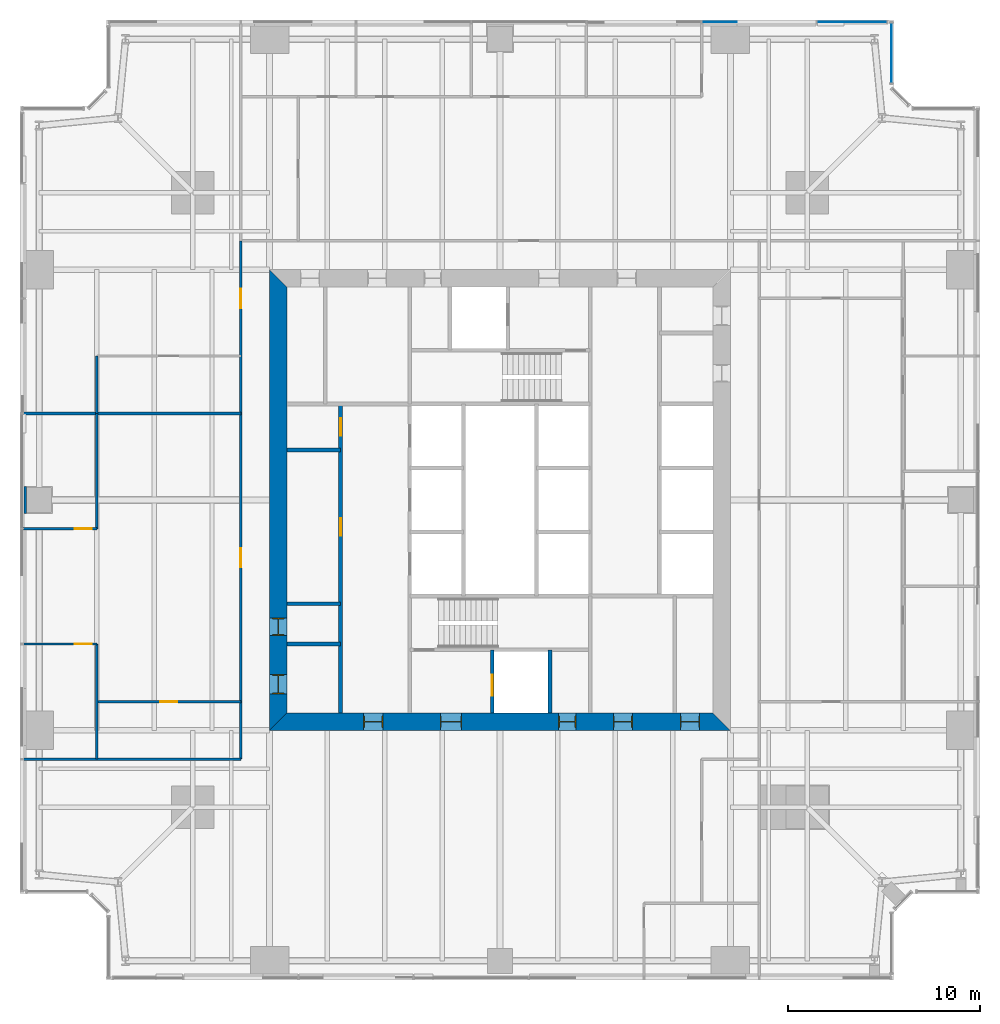
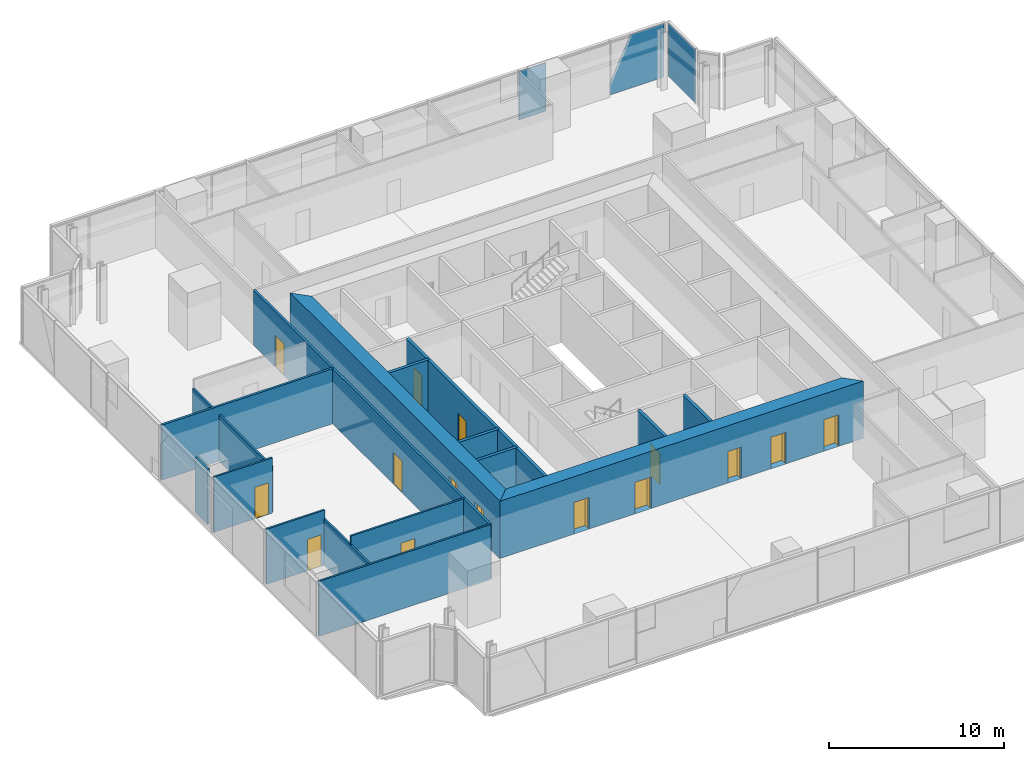
# One storey, part 9 of 14: 18 walls, 15 doors, 3 plates, 15 openings, 2 elements without a shape of their own.
"""IFC4 building model written with IfcOpenShell, lengths in metres."""

import ifcopenshell
import ifcopenshell.guid

model = None  # the IFC model being written
_history = None  # IfcOwnerHistory: only IFC2X3 demands one
_inside = {}  # id of a spatial element -> (the spatial element, [elements in it])
_under = {}  # id of a project, library or spatial element -> (it, [spatial elements below it])
_declared = {}  # id of a project -> (the project, [libraries it declares])
_typed = {}  # id of a type object -> (the type object, [elements of that type])
_made_of = {}  # id of a material, layer set ... -> (it, [elements and type objects made of it])


def new_model(schema):
    """Start an empty IFC model of exactly this schema.

    Asked for "IFC4X3", IfcOpenShell would pick the latest addendum, in which some entities
    have other attributes; the version numbers below select the first issue.
    IFC2X3 requires an IfcOwnerHistory on every rooted entity: one is made here for all.
    """
    global model, _history
    if schema == "IFC4X3":
        model = ifcopenshell.file(schema_version=(4, 3, 0, 0))
    else:
        model = ifcopenshell.file(schema=schema)
    _inside.clear()
    _under.clear()
    _declared.clear()
    _typed.clear()
    _made_of.clear()
    _history = None
    if model.schema == "IFC2X3":
        org = make("IfcOrganization", Name="unknown")
        user = make(
            "IfcPersonAndOrganization",
            ThePerson=make("IfcPerson", FamilyName="unknown"),
            TheOrganization=org,
        )
        app = make(
            "IfcApplication",
            ApplicationDeveloper=org,
            Version="unknown",
            ApplicationFullName="unknown",
            ApplicationIdentifier="unknown",
        )
        _history = make(
            "IfcOwnerHistory",
            OwningUser=user,
            OwningApplication=app,
            ChangeAction="ADDED",
            CreationDate=0,
        )
    return model


def make(cls, **values):
    """One entity of the class cls with the attributes given. An attribute that is None is left unset."""
    return model.create_entity(
        cls, **{name: value for name, value in values.items() if value is not None}
    )


def rooted(cls, **values):
    """An entity with a GlobalId (a new one), such as an element, a storey or a relation."""
    return make(cls, GlobalId=ifcopenshell.guid.new(), OwnerHistory=_history, **values)


def si_unit(unit_type, name, prefix=None):
    """IfcSIUnit, for example si_unit("LENGTHUNIT", "METRE", prefix="MILLI")."""
    return make("IfcSIUnit", UnitType=unit_type, Prefix=prefix, Name=name)


def assignment(units):
    """IfcUnitAssignment: the units of a project."""
    return None if units is None else make("IfcUnitAssignment", Units=units)


def point(xyz):
    """IfcCartesianPoint."""
    return None if xyz is None else make("IfcCartesianPoint", Coordinates=xyz)


def direction(xyz):
    """IfcDirection."""
    return None if xyz is None else make("IfcDirection", DirectionRatios=xyz)


def frame(location, z_axis=None, x_axis=None):
    """IfcAxis2Placement3D, a coordinate frame: its origin and axes. An axis left out is left unset."""
    return make(
        "IfcAxis2Placement3D",
        Location=point(location),
        Axis=direction(z_axis),
        RefDirection=direction(x_axis),
    )


def frame_2d(location, x_axis=None):
    """IfcAxis2Placement2D, a coordinate frame in the plane: its origin and x axis."""
    return make(
        "IfcAxis2Placement2D", Location=point(location), RefDirection=direction(x_axis)
    )


def origin():
    """The frame at (0, 0, 0) with its axes left unset."""
    return frame((0.0, 0.0, 0.0))


def origin_2d():
    """The frame at (0, 0) in the plane with its x axis left unset."""
    return frame_2d((0.0, 0.0))


def place(relative_to, where):
    """IfcLocalPlacement: puts the frame where relative to a parent placement (None: the world)."""
    return make(
        "IfcLocalPlacement", PlacementRelTo=relative_to, RelativePlacement=where
    )


def context(
    kind, dimensions, precision=None, world=None, true_north=None, identifier=None
):
    """IfcGeometricRepresentationContext, for example the 3D "Model" context."""
    return make(
        "IfcGeometricRepresentationContext",
        ContextIdentifier=identifier,
        ContextType=kind,
        CoordinateSpaceDimension=dimensions,
        Precision=precision,
        WorldCoordinateSystem=world,
        TrueNorth=true_north,
    )


def subcontext(parent, identifier, kind, view, scale=None):
    """IfcGeometricRepresentationSubContext, for example "Body" below "Model"."""
    return make(
        "IfcGeometricRepresentationSubContext",
        ContextIdentifier=identifier,
        ContextType=kind,
        ParentContext=parent,
        TargetScale=scale,
        TargetView=view,
    )


def project(units=None, contexts=None):
    """IfcProject with its units and contexts."""
    return rooted(
        "IfcProject",
        Name="project",
        RepresentationContexts=contexts,
        UnitsInContext=assignment(units),
    )


def spatial(cls, under=None, at=None, **own):
    """A site, building, storey or space (cls), placed at a placement, below another one or the project."""
    s = rooted(cls, ObjectPlacement=at, **own)
    if under is not None:
        _under.setdefault(under.id(), (under, []))[1].append(s)
    return s


def polyline(points):
    """IfcPolyline through the points."""
    return make("IfcPolyline", Points=[point(p) for p in points])


def profile(cls, at=None, kind="AREA", **sizes):
    """A parametric profile (cls). Its sizes go by their IFC names, for example OverallWidth=200.0."""
    return make(cls, ProfileType=kind, Position=at, **sizes)


def rectangle(**sizes):
    """IfcRectangleProfileDef."""
    return profile("IfcRectangleProfileDef", **sizes)


def outline(outer, holes=None, kind="AREA"):
    """IfcArbitraryClosedProfileDef: a profile drawn as a closed curve; with holes, ...WithVoids."""
    if holes is None:
        return make("IfcArbitraryClosedProfileDef", ProfileType=kind, OuterCurve=outer)
    return make(
        "IfcArbitraryProfileDefWithVoids",
        ProfileType=kind,
        OuterCurve=outer,
        InnerCurves=holes,
    )


def extrude(swept, where, along, depth):
    """IfcExtrudedAreaSolid: the profile swept, set in the frame where, extruded along a direction by depth."""
    return make(
        "IfcExtrudedAreaSolid",
        SweptArea=swept,
        Position=where,
        ExtrudedDirection=direction(along),
        Depth=depth,
    )


def shape(context_of_items, identifier, shape_type, items):
    """IfcShapeRepresentation: the items that make up one representation, for example the "Body"."""
    return make(
        "IfcShapeRepresentation",
        ContextOfItems=context_of_items,
        RepresentationIdentifier=identifier,
        RepresentationType=shape_type,
        Items=items,
    )


def material(Name=None, Category=None):
    """IfcMaterial."""
    return make("IfcMaterial", Name=Name, Category=Category)


def layer(
    of_material, thickness, ventilated=None, Name=None, Category=None, Priority=None
):
    """IfcMaterialLayer: one layer of a wall or slab, of a material (None: an air gap)."""
    return make(
        "IfcMaterialLayer",
        Material=of_material,
        LayerThickness=thickness,
        IsVentilated=ventilated,
        Name=Name,
        Category=Category,
        Priority=Priority,
    )


def layer_set(layers, Name=None):
    """IfcMaterialLayerSet."""
    return make("IfcMaterialLayerSet", MaterialLayers=layers, LayerSetName=Name)


def made_of(thing, what):
    """Note that an element or type object is made of a material, layer set ...; save() writes the relation."""
    if what is not None:
        _made_of.setdefault(what.id(), (what, []))[1].append(thing)
    return thing


def type_object(cls, material=None, **own):
    """A type object (cls), such as IfcWallType, which elements share."""
    return made_of(rooted(cls, **own), material)


def element(
    cls,
    number,
    at=None,
    inside=None,
    cuts=None,
    type_object=None,
    material=None,
    context=None,
    identifier="Body",
    shape_type=None,
    held_by="IfcProductDefinitionShape",
    body=None,
    shapes=None,
    **own,
):
    """One element of the class cls, such as IfcWall. Its Tag is "e" and its number.

    at: its placement. inside: the storey or other place that contains it. cuts: it is an
    opening in that element (IfcRelVoidsElement). A single representation is given by context,
    identifier, shape_type and body (its items); several are given by shapes. held_by: the class
    of the entity that holds the representations. save() writes the other relations.
    """
    e = rooted(cls, Tag="e%d" % number, ObjectPlacement=at, **own)
    if body is not None:
        shapes = [shape(context, identifier, shape_type, body)]
    if shapes is not None:
        e.Representation = make(held_by, Representations=shapes)
    if inside is not None:
        _inside.setdefault(inside.id(), (inside, []))[1].append(e)
    if cuts is not None:
        rooted(
            "IfcRelVoidsElement", RelatingBuildingElement=cuts, RelatedOpeningElement=e
        )
    if type_object is not None:
        _typed.setdefault(type_object.id(), (type_object, []))[1].append(e)
    return made_of(e, material)


def fill(opening, filler):
    """IfcRelFillsElement: the door or window that sits in an opening."""
    return rooted(
        "IfcRelFillsElement",
        RelatingOpeningElement=opening,
        RelatedBuildingElement=filler,
    )


def aggregate(whole, parts):
    """IfcRelAggregates: a whole, such as a stair, and the parts it consists of."""
    return rooted("IfcRelAggregates", RelatingObject=whole, RelatedObjects=parts)


def save(model, path):
    """Write the relations noted so far, then the file.

    IfcRelAggregates (storeys below a building ...), IfcRelContainedInSpatialStructure (elements
    in a storey), IfcRelDefinesByType, IfcRelAssociatesMaterial and IfcRelDeclares: one each for
    every whole, place, type object, material and project.
    """
    for whole, parts in _under.values():
        aggregate(whole, parts)
    for where, things in _inside.values():
        rooted(
            "IfcRelContainedInSpatialStructure",
            RelatedElements=things,
            RelatingStructure=where,
        )
    for kind, things in _typed.values():
        rooted("IfcRelDefinesByType", RelatedObjects=things, RelatingType=kind)
    for what, things in _made_of.values():
        rooted("IfcRelAssociatesMaterial", RelatedObjects=things, RelatingMaterial=what)
    for by, libraries in _declared.values():
        rooted("IfcRelDeclares", RelatingContext=by, RelatedDefinitions=libraries)
    model.write(path)


model = new_model("IFC4")

# Units and contexts
model_context = context("Model", 3, precision=1e-05, world=origin(), true_north=direction((0.0, 1.0)))
body_context = subcontext(model_context, "Body", "Model", "MODEL_VIEW")
ifc_project = project(units=[si_unit("LENGTHUNIT", "METRE"), si_unit("AREAUNIT", "SQUARE_METRE"), si_unit("VOLUMEUNIT", "CUBIC_METRE"), si_unit("PLANEANGLEUNIT", "RADIAN"), si_unit("MASSUNIT", "GRAM", prefix="KILO")], contexts=[model_context])

# Site, building, storey
site_placement = place(None, origin())
site = spatial("IfcSite", under=ifc_project, at=site_placement, CompositionType="ELEMENT")
building_placement = place(site_placement, origin())
building = spatial("IfcBuilding", under=site, at=building_placement, Name="Fenwick Lantern Interchange", CompositionType="ELEMENT")
storey_placement = place(building_placement, frame((0.0, 0.0, 134.39990234375)))
storey = spatial("IfcBuildingStorey", under=building, at=storey_placement, Name="L31", CompositionType="ELEMENT", Elevation=134.39990234375)

# Curtain wall, plate
ifc_material_1 = material(Name="Aluminium curtain wall frame", Category="aluminium")
curtain_wall_type = type_object("IfcCurtainWallType", Name="OFFICE CURTAIN WALL", PredefinedType="USERDEFINED", material=ifc_material_1)
curtain_wall_1_placement = place(storey_placement, origin())
curtain_wall_1 = element("IfcCurtainWall", 1, at=curtain_wall_1_placement, inside=storey, type_object=curtain_wall_type, Name="Office curtain wall 08", ObjectType="OFFICE CURTAIN WALL", PredefinedType="USERDEFINED")
ifc_material_2 = material(Name="Vision glass, clear low-iron double glazed", Category="glass")
ifc_layer_1 = layer(ifc_material_2, 0.031982421875)
ifc_layer_set_1 = layer_set([ifc_layer_1], Name="OFFICE CURTAIN WALL PANEL 32")
plate_type = type_object("IfcPlateType", Name="OFFICE CURTAIN WALL PANEL 32", PredefinedType="CURTAIN_PANEL", material=ifc_layer_set_1)
plate_1_placement = place(storey_placement, frame((45.39990234375, 48.279296875, 0.0), z_axis=(0.0, 0.0, 1.0), x_axis=(0.0, 1.0, 0.0)))
plate_1 = element("IfcPlate", 2, at=plate_1_placement, type_object=plate_type, Name="L31/CW/08/P00", PredefinedType="CURTAIN_PANEL", context=body_context, shape_type="SweptSolid", body=[
    extrude(rectangle(XDim=3.111328125, YDim=0.031982421875, at=origin_2d()), origin(), (0.0, 0.0, 1.0), 3.75),
])
aggregate(curtain_wall_1, [plate_1])

# Curtain wall, plates
curtain_wall_2_placement = place(storey_placement, origin())
curtain_wall_2 = element("IfcCurtainWall", 3, at=curtain_wall_2_placement, inside=storey, type_object=curtain_wall_type, Name="Office curtain wall 09", ObjectType="OFFICE CURTAIN WALL", PredefinedType="USERDEFINED")
plate_2_placement = place(storey_placement, frame((45.39990234375, 49.89990234375, 0.0), z_axis=(0.0, 0.0, 1.0), x_axis=(-1.0, 0.0, 0.0)))
plate_2 = element("IfcPlate", 4, at=plate_2_placement, type_object=plate_type, Name="L31/CW/09/P00a", PredefinedType="CURTAIN_PANEL", context=body_context, shape_type="SweptSolid", body=[
    extrude(outline(polyline([(0.264892578125, 0.0), (3.867431640625, 0.0), (3.867431640625, 0.822509765625), (2.4951171875, 3.75), (0.264892578125, 3.75), (0.264892578125, 0.0)])), frame((0.0, 0.01611328125, 0.0), z_axis=(0.0, -1.0, 0.0), x_axis=(1.0, 0.0, 0.0)), (0.0, 0.0, 1.0), 0.031982421875),
])
plate_3_placement = place(storey_placement, frame((45.39990234375, 49.89990234375, 0.358154296875), z_axis=(0.0, 0.0, 1.0), x_axis=(-1.0, 0.0, 0.0)))
plate_3 = element("IfcPlate", 5, at=plate_3_placement, type_object=plate_type, Name="L31/CW/09/P01a", PredefinedType="CURTAIN_PANEL", context=body_context, shape_type="SweptSolid", body=[
    extrude(outline(polyline([(8.06103515625, 0.0), (9.867431640625, 0.0), (9.867431640625, 3.391845703125), (8.06103515625, 3.391845703125), (8.06103515625, 0.0)])), frame((0.0, 0.01611328125, 0.0), z_axis=(0.0, -1.0, 0.0), x_axis=(1.0, 0.0, 0.0)), (0.0, 0.0, 1.0), 0.031982421875),
])
aggregate(curtain_wall_2, [plate_2, plate_3])

# Wall
ifc_material_3 = material(Name="Fire-rated gypsum board encasement on steel studs, 2 hour", Category="steel")
ifc_layer_2 = layer(ifc_material_3, 1.39990234375)
ifc_layer_set_2 = layer_set([ifc_layer_2], Name="COLUMN PIER 1400")
wall_type_1 = type_object("IfcWallType", Name="COLUMN PIER 1400", PredefinedType="PARTITIONING", material=ifc_layer_set_2)
wall_1_placement = place(storey_placement, frame((0.199951171875, 25.0, 0.0), z_axis=(0.0, 0.0, 1.0), x_axis=(1.0, 0.0, 0.0)))
element("IfcWall", 6, at=wall_1_placement, inside=storey, type_object=wall_type_1, Name="L31/W/PIER/CW3", PredefinedType="PARTITIONING", context=body_context, shape_type="SweptSolid", body=[
    extrude(rectangle(XDim=0.150146484375, YDim=1.39990234375, at=frame_2d((0.0751953125, 0.0))), origin(), (0.0, 0.0, 1.0), 3.85009765625),
])

# Wall, openings, doors
ifc_material_4 = material(Name="Concrete masonry ASTM C90 Grade N", Category="masonry")
ifc_layer_3 = layer(ifc_material_4, 0.199951171875)
ifc_layer_set_3 = layer_set([ifc_layer_3], Name="Concrete masonry ASTM C90 Grade N")
wall_type_2 = type_object("IfcWallType", Name="CORE PARTITION 200", PredefinedType="PARTITIONING", material=ifc_layer_set_3)
wall_2_placement = place(storey_placement, frame((16.699951171875, 13.89990234375, 0.0), z_axis=(0.0, 0.0, 1.0), x_axis=(0.0, 1.0, 0.0)))
wall_2 = element("IfcWall", 7, at=wall_2_placement, inside=storey, type_object=wall_type_2, Name="L31/W/CORES/a", PredefinedType="PARTITIONING", context=body_context, shape_type="SweptSolid", body=[
    extrude(rectangle(XDim=16.10009765625, YDim=0.199951171875, at=frame_2d((8.050048828125, 0.0))), origin(), (0.0, 0.0, 1.0), 3.800048828125),
])
opening_1_placement = place(wall_2_placement, frame((9.25, 0.0, 0.0)))
opening_1 = element("IfcOpeningElement", 8, at=opening_1_placement, cuts=wall_2, Name="Opening L31-D009", PredefinedType="OPENING", context=body_context, shape_type="SweptSolid", body=[
    extrude(rectangle(XDim=0.89990234375, YDim=2.199951171875, at=frame_2d((0.449951171875, 1.10009765625))), frame((0.0, 0.10986328125, 0.0), z_axis=(0.0, -1.0, 0.0), x_axis=(1.0, 0.0, 0.0)), (0.0, 0.0, 1.0), 0.219970703125),
])
opening_2_placement = place(wall_2_placement, frame((14.449951171875, 0.0, 0.0)))
opening_2 = element("IfcOpeningElement", 9, at=opening_2_placement, cuts=wall_2, Name="Opening L31-D010", PredefinedType="OPENING", context=body_context, shape_type="SweptSolid", body=[
    extrude(rectangle(XDim=0.89990234375, YDim=2.199951171875, at=frame_2d((0.449951171875, 1.10009765625))), frame((0.0, 0.10986328125, 0.0), z_axis=(0.0, -1.0, 0.0), x_axis=(1.0, 0.0, 0.0)), (0.0, 0.0, 1.0), 0.219970703125),
])
ifc_material_5 = material(Name="Steel door and frame", Category="steel")
door_type_1 = type_object("IfcDoorType", Name="SERVICE DOOR 900 X 2200", OperationType="SINGLE_SWING_LEFT", PredefinedType="DOOR", material=ifc_material_5)
door_1_placement = place(opening_1_placement, origin())
door_1 = element("IfcDoor", 10, at=door_1_placement, inside=storey, type_object=door_type_1, Name="Service door", OperationType="SINGLE_SWING_LEFT", OverallHeight=2.199951171875, OverallWidth=0.89990234375, PredefinedType="DOOR", context=body_context, shape_type="SweptSolid", body=[
    extrude(rectangle(XDim=0.89990234375, YDim=2.199951171875, at=frame_2d((0.449951171875, 1.10009765625))), frame((0.0, 0.02490234375, 0.0), z_axis=(0.0, -1.0, 0.0), x_axis=(1.0, 0.0, 0.0)), (0.0, 0.0, 1.0), 0.050048828125),
])
fill(opening_1, door_1)
door_2_placement = place(opening_2_placement, origin())
door_2 = element("IfcDoor", 11, at=door_2_placement, inside=storey, type_object=door_type_1, Name="Service door", OperationType="SINGLE_SWING_LEFT", OverallHeight=2.199951171875, OverallWidth=0.89990234375, PredefinedType="DOOR", context=body_context, shape_type="SweptSolid", body=[
    extrude(rectangle(XDim=0.89990234375, YDim=2.199951171875, at=frame_2d((0.449951171875, 1.10009765625))), frame((0.0, 0.02490234375, 0.0), z_axis=(0.0, -1.0, 0.0), x_axis=(1.0, 0.0, 0.0)), (0.0, 0.0, 1.0), 0.050048828125),
])
fill(opening_2, door_2)

# Wall, opening, door
wall_3_placement = place(storey_placement, frame((24.60009765625, 13.89990234375, 0.0), z_axis=(0.0, 0.0, 1.0), x_axis=(0.0, 1.0, 0.0)))
wall_3 = element("IfcWall", 12, at=wall_3_placement, inside=storey, type_object=wall_type_2, Name="L31/W/CORES/h1", PredefinedType="PARTITIONING", context=body_context, shape_type="SweptSolid", body=[
    extrude(rectangle(XDim=3.300048828125, YDim=0.199951171875, at=frame_2d((1.64990234375, 0.0))), origin(), (0.0, 0.0, 1.0), 3.800048828125),
])
opening_3_placement = place(wall_3_placement, frame((0.89990234375, 0.0, 0.0)))
opening_3 = element("IfcOpeningElement", 13, at=opening_3_placement, cuts=wall_3, Name="Opening LD-FL1", PredefinedType="OPENING", context=body_context, shape_type="SweptSolid", body=[
    extrude(rectangle(XDim=1.10009765625, YDim=2.199951171875, at=frame_2d((0.550048828125, 1.10009765625))), frame((0.0, 0.10986328125, 0.0), z_axis=(0.0, -1.0, 0.0), x_axis=(1.0, 0.0, 0.0)), (0.0, 0.0, 1.0), 0.219970703125),
])
door_type_2 = type_object("IfcDoorType", Name="LIFT LANDING DOOR 1100 X 2200", OperationType="DOUBLE_DOOR_SLIDING", PredefinedType="DOOR", material=ifc_material_5)
door_3_placement = place(opening_3_placement, origin())
door_3 = element("IfcDoor", 14, at=door_3_placement, inside=storey, type_object=door_type_2, Name="Lift landing door FL1", OperationType="DOUBLE_DOOR_SLIDING", OverallHeight=2.199951171875, OverallWidth=1.10009765625, PredefinedType="DOOR", context=body_context, shape_type="SweptSolid", body=[
    extrude(rectangle(XDim=1.10009765625, YDim=2.199951171875, at=frame_2d((0.550048828125, 1.10009765625))), frame((0.0, 0.02490234375, 0.0), z_axis=(0.0, -1.0, 0.0), x_axis=(1.0, 0.0, 0.0)), (0.0, 0.0, 1.0), 0.050048828125),
])
fill(opening_3, door_3)

# Walls
wall_4_placement = place(storey_placement, frame((27.60009765625, 13.89990234375, 0.0), z_axis=(0.0, 0.0, 1.0), x_axis=(0.0, 1.0, 0.0)))
element("IfcWall", 15, at=wall_4_placement, inside=storey, type_object=wall_type_2, Name="L31/W/CORES/h2", PredefinedType="PARTITIONING", context=body_context, shape_type="SweptSolid", body=[
    extrude(rectangle(XDim=3.300048828125, YDim=0.199951171875, at=frame_2d((1.64990234375, 0.0))), origin(), (0.0, 0.0, 1.0), 3.800048828125),
])
for number, where, z_axis, x_axis, name in (
    (16, (13.89990234375, 17.5, 0.0), (0.0, 0.0, 1.0), (1.0, 0.0, 0.0), "L31/W/CORES/p1"),
    (17, (13.89990234375, 19.60009765625, 0.0), (0.0, 0.0, 1.0), (1.0, 0.0, 0.0), "L31/W/CORES/p2"),
    (18, (13.89990234375, 27.60009765625, 0.0), (0.0, 0.0, 1.0), (1.0, 0.0, 0.0), "L31/W/CORES/p3"),
):
    element("IfcWall", number, at=place(storey_placement, frame(where, z_axis=z_axis, x_axis=x_axis)), inside=storey, type_object=wall_type_2, Name=name, PredefinedType="PARTITIONING", context=body_context, shape_type="SweptSolid", body=[
        extrude(rectangle(XDim=2.800048828125, YDim=0.199951171875, at=frame_2d((1.39990234375, 0.0))), origin(), (0.0, 0.0, 1.0), 3.800048828125),
    ])

# Wall, openings, doors
ifc_material_6 = material(Name="Concrete f'c 70 MPa", Category="concrete")
ifc_layer_4 = layer(ifc_material_6, 0.89990234375)
ifc_layer_set_4 = layer_set([ifc_layer_4], Name="CORE WALL 900")
wall_type_3 = type_object("IfcWallType", Name="CORE WALL 900", PredefinedType="SHEAR", material=ifc_layer_set_4)
wall_5_placement = place(storey_placement, frame((13.0, 13.449951171875, 0.0), z_axis=(0.0, 0.0, 1.0), x_axis=(1.0, 0.0, 0.0)))
wall_5 = element("IfcWall", 19, at=wall_5_placement, inside=storey, type_object=wall_type_3, Name="L31/CORE/S", PredefinedType="SHEAR", context=body_context, shape_type="SweptSolid", body=[
    extrude(outline(polyline([(0.0, -0.449951171875), (24.0, -0.449951171875), (23.10009765625, 0.449951171875), (0.89990234375, 0.449951171875), (0.0, -0.449951171875)])), origin(), (0.0, 0.0, 1.0), 4.0),
])
opening_4_placement = place(wall_5_placement, frame((4.89990234375, 0.0, 0.0)))
opening_4 = element("IfcOpeningElement", 20, at=opening_4_placement, cuts=wall_5, Name="Opening L31-D001", PredefinedType="OPENING", context=body_context, shape_type="SweptSolid", body=[
    extrude(rectangle(XDim=1.0, YDim=2.199951171875, at=frame_2d((0.5, 1.10009765625))), frame((0.0, 0.4599609375, 0.0), z_axis=(0.0, -1.0, 0.0), x_axis=(1.0, 0.0, 0.0)), (0.0, 0.0, 1.0), 0.919921875),
])
opening_5_placement = place(wall_5_placement, frame((8.89990234375, 0.0, 0.0)))
opening_5 = element("IfcOpeningElement", 21, at=opening_5_placement, cuts=wall_5, Name="Opening L31-D002", PredefinedType="OPENING", context=body_context, shape_type="SweptSolid", body=[
    extrude(rectangle(XDim=1.10009765625, YDim=2.199951171875, at=frame_2d((0.550048828125, 1.10009765625))), frame((0.0, 0.4599609375, 0.0), z_axis=(0.0, -1.0, 0.0), x_axis=(1.0, 0.0, 0.0)), (0.0, 0.0, 1.0), 0.919921875),
])
opening_6_placement = place(wall_5_placement, frame((15.050048828125, 0.0, 0.0)))
opening_6 = element("IfcOpeningElement", 22, at=opening_6_placement, cuts=wall_5, Name="Opening L31-D004", PredefinedType="OPENING", context=body_context, shape_type="SweptSolid", body=[
    extrude(rectangle(XDim=0.89990234375, YDim=2.199951171875, at=frame_2d((0.449951171875, 1.10009765625))), frame((0.0, 0.4599609375, 0.0), z_axis=(0.0, -1.0, 0.0), x_axis=(1.0, 0.0, 0.0)), (0.0, 0.0, 1.0), 0.919921875),
])
opening_7_placement = place(wall_5_placement, frame((17.89990234375, 0.0, 0.0)))
opening_7 = element("IfcOpeningElement", 23, at=opening_7_placement, cuts=wall_5, Name="Opening L31-D005", PredefinedType="OPENING", context=body_context, shape_type="SweptSolid", body=[
    extrude(rectangle(XDim=1.0, YDim=2.199951171875, at=frame_2d((0.5, 1.10009765625))), frame((0.0, 0.4599609375, 0.0), z_axis=(0.0, -1.0, 0.0), x_axis=(1.0, 0.0, 0.0)), (0.0, 0.0, 1.0), 0.919921875),
])
opening_8_placement = place(wall_5_placement, frame((21.39990234375, 0.0, 0.0)))
opening_8 = element("IfcOpeningElement", 24, at=opening_8_placement, cuts=wall_5, Name="Opening L31-D006", PredefinedType="OPENING", context=body_context, shape_type="SweptSolid", body=[
    extrude(rectangle(XDim=1.0, YDim=2.199951171875, at=frame_2d((0.5, 1.10009765625))), frame((0.0, 0.4599609375, 0.0), z_axis=(0.0, -1.0, 0.0), x_axis=(1.0, 0.0, 0.0)), (0.0, 0.0, 1.0), 0.919921875),
])
door_type_3 = type_object("IfcDoorType", Name="CORE LOBBY DOOR 1000 X 2200", OperationType="SINGLE_SWING_LEFT", PredefinedType="DOOR", material=ifc_material_5)
door_4_placement = place(opening_4_placement, origin())
door_4 = element("IfcDoor", 25, at=door_4_placement, inside=storey, type_object=door_type_3, Name="Core lobby door", OperationType="SINGLE_SWING_LEFT", OverallHeight=2.199951171875, OverallWidth=1.0, PredefinedType="DOOR", context=body_context, shape_type="SweptSolid", body=[
    extrude(rectangle(XDim=1.0, YDim=2.199951171875, at=frame_2d((0.5, 1.10009765625))), frame((0.0, 0.02490234375, 0.0), z_axis=(0.0, -1.0, 0.0), x_axis=(1.0, 0.0, 0.0)), (0.0, 0.0, 1.0), 0.050048828125),
    extrude(outline(polyline([(0.0, 0.0), (0.0400390625, 0.0), (0.0400390625, 2.159912109375), (0.9599609375, 2.159912109375), (0.9599609375, 0.0), (1.0, 0.0), (1.0, 2.199951171875), (0.0, 2.199951171875), (0.0, 0.0)])), frame((0.0, 0.300048828125, 0.0), z_axis=(0.0, -1.0, 0.0), x_axis=(1.0, 0.0, 0.0)), (0.0, 0.0, 1.0), 0.60009765625),
])
fill(opening_4, door_4)
door_type_4 = type_object("IfcDoorType", Name="FIRE LOBBY DOOR 1100 X 2200", OperationType="SINGLE_SWING_LEFT", PredefinedType="DOOR", material=ifc_material_5)
door_5_placement = place(opening_5_placement, origin())
door_5 = element("IfcDoor", 26, at=door_5_placement, inside=storey, type_object=door_type_4, Name="Fire lobby door", OperationType="SINGLE_SWING_LEFT", OverallHeight=2.199951171875, OverallWidth=1.10009765625, PredefinedType="DOOR", context=body_context, shape_type="SweptSolid", body=[
    extrude(rectangle(XDim=1.10009765625, YDim=2.199951171875, at=frame_2d((0.550048828125, 1.10009765625))), frame((0.0, 0.02490234375, 0.0), z_axis=(0.0, -1.0, 0.0), x_axis=(1.0, 0.0, 0.0)), (0.0, 0.0, 1.0), 0.050048828125),
    extrude(outline(polyline([(0.0, 0.0), (0.0400390625, 0.0), (0.0400390625, 2.159912109375), (1.06005859375, 2.159912109375), (1.06005859375, 0.0), (1.10009765625, 0.0), (1.10009765625, 2.199951171875), (0.0, 2.199951171875), (0.0, 0.0)])), frame((0.0, 0.300048828125, 0.0), z_axis=(0.0, -1.0, 0.0), x_axis=(1.0, 0.0, 0.0)), (0.0, 0.0, 1.0), 0.60009765625),
])
fill(opening_5, door_5)
door_6_placement = place(opening_6_placement, origin())
door_6 = element("IfcDoor", 27, at=door_6_placement, inside=storey, type_object=door_type_1, Name="Service door", OperationType="SINGLE_SWING_LEFT", OverallHeight=2.199951171875, OverallWidth=0.89990234375, PredefinedType="DOOR", context=body_context, shape_type="SweptSolid", body=[
    extrude(rectangle(XDim=0.89990234375, YDim=2.199951171875, at=frame_2d((0.449951171875, 1.10009765625))), frame((0.0, 0.02490234375, 0.0), z_axis=(0.0, -1.0, 0.0), x_axis=(1.0, 0.0, 0.0)), (0.0, 0.0, 1.0), 0.050048828125),
    extrude(outline(polyline([(0.0, 0.0), (0.0400390625, 0.0), (0.0400390625, 2.159912109375), (0.85986328125, 2.159912109375), (0.85986328125, 0.0), (0.89990234375, 0.0), (0.89990234375, 2.199951171875), (0.0, 2.199951171875), (0.0, 0.0)])), frame((0.0, 0.300048828125, 0.0), z_axis=(0.0, -1.0, 0.0), x_axis=(1.0, 0.0, 0.0)), (0.0, 0.0, 1.0), 0.60009765625),
])
fill(opening_6, door_6)
ifc_material_7 = material(Name="Hardwood door and steel frame", Category="steel")
door_type_5 = type_object("IfcDoorType", Name="WC DOOR 1000 X 2200", OperationType="SINGLE_SWING_LEFT", PredefinedType="DOOR", material=ifc_material_7)
door_7_placement = place(opening_7_placement, origin())
door_7 = element("IfcDoor", 28, at=door_7_placement, inside=storey, type_object=door_type_5, Name="Wc door", OperationType="SINGLE_SWING_LEFT", OverallHeight=2.199951171875, OverallWidth=1.0, PredefinedType="DOOR", context=body_context, shape_type="SweptSolid", body=[
    extrude(rectangle(XDim=1.0, YDim=2.199951171875, at=frame_2d((0.5, 1.10009765625))), frame((0.0, 0.02490234375, 0.0), z_axis=(0.0, -1.0, 0.0), x_axis=(1.0, 0.0, 0.0)), (0.0, 0.0, 1.0), 0.050048828125),
    extrude(outline(polyline([(0.0, 0.0), (0.0400390625, 0.0), (0.0400390625, 2.159912109375), (0.9599609375, 2.159912109375), (0.9599609375, 0.0), (1.0, 0.0), (1.0, 2.199951171875), (0.0, 2.199951171875), (0.0, 0.0)])), frame((0.0, 0.300048828125, 0.0), z_axis=(0.0, -1.0, 0.0), x_axis=(1.0, 0.0, 0.0)), (0.0, 0.0, 1.0), 0.60009765625),
])
fill(opening_7, door_7)
door_8_placement = place(opening_8_placement, origin())
door_8 = element("IfcDoor", 29, at=door_8_placement, inside=storey, type_object=door_type_5, Name="Wc door", OperationType="SINGLE_SWING_LEFT", OverallHeight=2.199951171875, OverallWidth=1.0, PredefinedType="DOOR", context=body_context, shape_type="SweptSolid", body=[
    extrude(rectangle(XDim=1.0, YDim=2.199951171875, at=frame_2d((0.5, 1.10009765625))), frame((0.0, 0.02490234375, 0.0), z_axis=(0.0, -1.0, 0.0), x_axis=(1.0, 0.0, 0.0)), (0.0, 0.0, 1.0), 0.050048828125),
    extrude(outline(polyline([(0.0, 0.0), (0.0400390625, 0.0), (0.0400390625, 2.159912109375), (0.9599609375, 2.159912109375), (0.9599609375, 0.0), (1.0, 0.0), (1.0, 2.199951171875), (0.0, 2.199951171875), (0.0, 0.0)])), frame((0.0, 0.300048828125, 0.0), z_axis=(0.0, -1.0, 0.0), x_axis=(1.0, 0.0, 0.0)), (0.0, 0.0, 1.0), 0.60009765625),
])
fill(opening_8, door_8)

wall_6_placement = place(storey_placement, frame((13.449951171875, 36.10009765625, 0.0), z_axis=(0.0, 0.0, 1.0), x_axis=(0.0, -1.0, 0.0)))
wall_6 = element("IfcWall", 30, at=wall_6_placement, inside=storey, type_object=wall_type_3, Name="L31/CORE/W", PredefinedType="SHEAR", context=body_context, shape_type="SweptSolid", body=[
    extrude(outline(polyline([(-0.89990234375, -0.449951171875), (23.10009765625, -0.449951171875), (22.199951171875, 0.449951171875), (0.0, 0.449951171875), (-0.89990234375, -0.449951171875)])), origin(), (0.0, 0.0, 1.0), 4.0),
])
opening_9_placement = place(wall_6_placement, frame((20.199951171875, 0.0, 0.0)))
opening_9 = element("IfcOpeningElement", 31, at=opening_9_placement, cuts=wall_6, Name="Opening L31-D007", PredefinedType="OPENING", context=body_context, shape_type="SweptSolid", body=[
    extrude(rectangle(XDim=1.0, YDim=2.199951171875, at=frame_2d((0.5, 1.10009765625))), frame((0.0, 0.4599609375, 0.0), z_axis=(0.0, -1.0, 0.0), x_axis=(1.0, 0.0, 0.0)), (0.0, 0.0, 1.0), 0.919921875),
])
opening_10_placement = place(wall_6_placement, frame((17.25, 0.0, 0.0)))
opening_10 = element("IfcOpeningElement", 32, at=opening_10_placement, cuts=wall_6, Name="Opening L31-D008", PredefinedType="OPENING", context=body_context, shape_type="SweptSolid", body=[
    extrude(rectangle(XDim=0.89990234375, YDim=2.199951171875, at=frame_2d((0.449951171875, 1.10009765625))), frame((0.0, 0.4599609375, 0.0), z_axis=(0.0, -1.0, 0.0), x_axis=(1.0, 0.0, 0.0)), (0.0, 0.0, 1.0), 0.919921875),
])
door_9_placement = place(opening_10_placement, origin())
door_9 = element("IfcDoor", 33, at=door_9_placement, inside=storey, type_object=door_type_1, Name="Service door", OperationType="SINGLE_SWING_RIGHT", OverallHeight=2.199951171875, OverallWidth=0.89990234375, PredefinedType="DOOR", context=body_context, shape_type="SweptSolid", body=[
    extrude(rectangle(XDim=0.89990234375, YDim=2.199951171875, at=frame_2d((0.449951171875, 1.10009765625))), frame((0.0, 0.02490234375, 0.0), z_axis=(0.0, -1.0, 0.0), x_axis=(1.0, 0.0, 0.0)), (0.0, 0.0, 1.0), 0.050048828125),
    extrude(outline(polyline([(0.0, 0.0), (0.0400390625, 0.0), (0.0400390625, 2.159912109375), (0.85986328125, 2.159912109375), (0.85986328125, 0.0), (0.89990234375, 0.0), (0.89990234375, 2.199951171875), (0.0, 2.199951171875), (0.0, 0.0)])), frame((0.0, 0.300048828125, 0.0), z_axis=(0.0, -1.0, 0.0), x_axis=(1.0, 0.0, 0.0)), (0.0, 0.0, 1.0), 0.60009765625),
])
fill(opening_10, door_9)
door_10_placement = place(opening_9_placement, origin())
door_10 = element("IfcDoor", 34, at=door_10_placement, inside=storey, type_object=door_type_5, Name="Wc door", OperationType="SINGLE_SWING_RIGHT", OverallHeight=2.199951171875, OverallWidth=1.0, PredefinedType="DOOR", context=body_context, shape_type="SweptSolid", body=[
    extrude(rectangle(XDim=1.0, YDim=2.199951171875, at=frame_2d((0.5, 1.10009765625))), frame((0.0, 0.02490234375, 0.0), z_axis=(0.0, -1.0, 0.0), x_axis=(1.0, 0.0, 0.0)), (0.0, 0.0, 1.0), 0.050048828125),
    extrude(outline(polyline([(0.0, 0.0), (0.0400390625, 0.0), (0.0400390625, 2.159912109375), (0.9599609375, 2.159912109375), (0.9599609375, 0.0), (1.0, 0.0), (1.0, 2.199951171875), (0.0, 2.199951171875), (0.0, 0.0)])), frame((0.0, 0.300048828125, 0.0), z_axis=(0.0, -1.0, 0.0), x_axis=(1.0, 0.0, 0.0)), (0.0, 0.0, 1.0), 0.60009765625),
])
fill(opening_9, door_10)

ifc_material_8 = material(Name="Gypsum board on steel studs, 1 hour", Category="steel")
ifc_layer_5 = layer(ifc_material_8, 0.14990234375)
ifc_layer_set_5 = layer_set([ifc_layer_5], Name="CORRIDOR WALL 150")
wall_type_4 = type_object("IfcWallType", Name="CORRIDOR WALL 150", PredefinedType="PARTITIONING", material=ifc_layer_set_5)
wall_7_placement = place(storey_placement, frame((11.5, 38.5, 0.0), z_axis=(0.0, 0.0, 1.0), x_axis=(0.0, -1.0, 0.0)))
wall_7 = element("IfcWall", 35, at=wall_7_placement, inside=storey, type_object=wall_type_4, Name="L31/W/OFF/W/CW", PredefinedType="PARTITIONING", context=body_context, shape_type="SweptSolid", body=[
    extrude(rectangle(XDim=27.0, YDim=0.14990234375, at=frame_2d((13.5, 0.0))), origin(), (0.0, 0.0, 1.0), 3.85009765625),
])
opening_11_placement = place(wall_7_placement, frame((2.5, 0.0, 0.0)))
opening_11 = element("IfcOpeningElement", 36, at=opening_11_placement, cuts=wall_7, Name="Opening L31-D034", PredefinedType="OPENING", context=body_context, shape_type="SweptSolid", body=[
    extrude(rectangle(XDim=1.0, YDim=2.199951171875, at=frame_2d((0.5, 1.10009765625))), frame((0.0, 0.0849609375, 0.0), z_axis=(0.0, -1.0, 0.0), x_axis=(1.0, 0.0, 0.0)), (0.0, 0.0, 1.0), 0.169921875),
])
opening_12_placement = place(wall_7_placement, frame((16.0, 0.0, 0.0)))
opening_12 = element("IfcOpeningElement", 37, at=opening_12_placement, cuts=wall_7, Name="Opening L31-D036", PredefinedType="OPENING", context=body_context, shape_type="SweptSolid", body=[
    extrude(rectangle(XDim=1.0, YDim=2.199951171875, at=frame_2d((0.5, 1.10009765625))), frame((0.0, 0.0849609375, 0.0), z_axis=(0.0, -1.0, 0.0), x_axis=(1.0, 0.0, 0.0)), (0.0, 0.0, 1.0), 0.169921875),
])
door_type_6 = type_object("IfcDoorType", Name="SUITE ENTRANCE DOOR 1000 X 2200", OperationType="SINGLE_SWING_LEFT", PredefinedType="DOOR", material=ifc_material_5)
door_11_placement = place(opening_11_placement, frame((1.0, 0.0, 0.0), z_axis=(0.0, 0.0, 1.0), x_axis=(-1.0, 0.0, 0.0)))
door_11 = element("IfcDoor", 38, at=door_11_placement, inside=storey, type_object=door_type_6, Name="Suite entrance door", OperationType="SINGLE_SWING_LEFT", OverallHeight=2.199951171875, OverallWidth=1.0, PredefinedType="DOOR", context=body_context, shape_type="SweptSolid", body=[
    extrude(rectangle(XDim=1.0, YDim=2.199951171875, at=frame_2d((0.5, 1.10009765625))), frame((0.0, 0.02490234375, 0.0), z_axis=(0.0, -1.0, 0.0), x_axis=(1.0, 0.0, 0.0)), (0.0, 0.0, 1.0), 0.050048828125),
])
fill(opening_11, door_11)
door_12_placement = place(opening_12_placement, frame((1.0, 0.0, 0.0), z_axis=(0.0, 0.0, 1.0), x_axis=(-1.0, 0.0, 0.0)))
door_12 = element("IfcDoor", 39, at=door_12_placement, inside=storey, type_object=door_type_6, Name="Suite entrance door", OperationType="SINGLE_SWING_RIGHT", OverallHeight=2.199951171875, OverallWidth=1.0, PredefinedType="DOOR", context=body_context, shape_type="SweptSolid", body=[
    extrude(rectangle(XDim=1.0, YDim=2.199951171875, at=frame_2d((0.5, 1.10009765625))), frame((0.0, 0.02490234375, 0.0), z_axis=(0.0, -1.0, 0.0), x_axis=(1.0, 0.0, 0.0)), (0.0, 0.0, 1.0), 0.050048828125),
])
fill(opening_12, door_12)

# Wall
ifc_material_9 = material(Name="Gypsum board on steel studs, acoustic", Category="steel")
ifc_layer_6 = layer(ifc_material_9, 0.125)
ifc_layer_set_6 = layer_set([ifc_layer_6], Name="OFFICE PARTITION 125")
wall_type_5 = type_object("IfcWallType", Name="OFFICE PARTITION 125", PredefinedType="PARTITIONING", material=ifc_layer_set_6)
wall_8_placement = place(storey_placement, frame((0.14990234375, 11.5, 0.0), z_axis=(0.0, 0.0, 1.0), x_axis=(1.0, 0.0, 0.0)))
element("IfcWall", 40, at=wall_8_placement, inside=storey, type_object=wall_type_5, Name="L31/W/OFF/S/BACK", PredefinedType="PARTITIONING", context=body_context, shape_type="SweptSolid", body=[
    extrude(rectangle(XDim=11.35009765625, YDim=0.125, at=frame_2d((5.675048828125, 0.0))), origin(), (0.0, 0.0, 1.0), 3.85009765625),
])

# Wall, opening, door
wall_9_placement = place(storey_placement, frame((0.14990234375, 23.5, 0.0), z_axis=(0.0, 0.0, 1.0), x_axis=(1.0, 0.0, 0.0)))
wall_9 = element("IfcWall", 41, at=wall_9_placement, inside=storey, type_object=wall_type_5, Name="L31/W/OFF/W/X265-1", PredefinedType="PARTITIONING", context=body_context, shape_type="SweptSolid", body=[
    extrude(rectangle(XDim=3.85009765625, YDim=0.125, at=frame_2d((1.925048828125, 0.0))), origin(), (0.0, 0.0, 1.0), 3.85009765625),
])
opening_13_placement = place(wall_9_placement, frame((2.699951171875, 0.0, 0.0)))
opening_13 = element("IfcOpeningElement", 42, at=opening_13_placement, cuts=wall_9, Name="Opening L31-D037", PredefinedType="OPENING", context=body_context, shape_type="SweptSolid", body=[
    extrude(rectangle(XDim=0.89990234375, YDim=2.199951171875, at=frame_2d((0.449951171875, 1.10009765625))), frame((0.0, 0.072509765625, 0.0), z_axis=(0.0, -1.0, 0.0), x_axis=(1.0, 0.0, 0.0)), (0.0, 0.0, 1.0), 0.14501953125),
])
door_type_7 = type_object("IfcDoorType", Name="OFFICE DOOR 900 X 2200", OperationType="SINGLE_SWING_LEFT", PredefinedType="DOOR", material=ifc_material_7)
door_13_placement = place(opening_13_placement, origin())
door_13 = element("IfcDoor", 43, at=door_13_placement, inside=storey, type_object=door_type_7, Name="Office door", OperationType="SINGLE_SWING_RIGHT", OverallHeight=2.199951171875, OverallWidth=0.89990234375, PredefinedType="DOOR", context=body_context, shape_type="SweptSolid", body=[
    extrude(rectangle(XDim=0.89990234375, YDim=2.199951171875, at=frame_2d((0.449951171875, 1.10009765625))), frame((0.0, 0.02490234375, 0.0), z_axis=(0.0, -1.0, 0.0), x_axis=(1.0, 0.0, 0.0)), (0.0, 0.0, 1.0), 0.050048828125),
])
fill(opening_13, door_13)

wall_10_placement = place(storey_placement, frame((0.14990234375, 17.5, 0.0), z_axis=(0.0, 0.0, 1.0), x_axis=(1.0, 0.0, 0.0)))
wall_10 = element("IfcWall", 44, at=wall_10_placement, inside=storey, type_object=wall_type_5, Name="L31/W/OFF/W/X325-1", PredefinedType="PARTITIONING", context=body_context, shape_type="SweptSolid", body=[
    extrude(rectangle(XDim=3.85009765625, YDim=0.125, at=frame_2d((1.925048828125, 0.0))), origin(), (0.0, 0.0, 1.0), 3.85009765625),
])
opening_14_placement = place(wall_10_placement, frame((2.699951171875, 0.0, 0.0)))
opening_14 = element("IfcOpeningElement", 45, at=opening_14_placement, cuts=wall_10, Name="Opening L31-D038", PredefinedType="OPENING", context=body_context, shape_type="SweptSolid", body=[
    extrude(rectangle(XDim=0.89990234375, YDim=2.199951171875, at=frame_2d((0.449951171875, 1.10009765625))), frame((0.0, 0.072509765625, 0.0), z_axis=(0.0, -1.0, 0.0), x_axis=(1.0, 0.0, 0.0)), (0.0, 0.0, 1.0), 0.14501953125),
])
door_14_placement = place(opening_14_placement, frame((0.89990234375, 0.0, 0.0), z_axis=(0.0, 0.0, 1.0), x_axis=(-1.0, 0.0, 0.0)))
door_14 = element("IfcDoor", 46, at=door_14_placement, inside=storey, type_object=door_type_7, Name="Office door", OperationType="SINGLE_SWING_LEFT", OverallHeight=2.199951171875, OverallWidth=0.89990234375, PredefinedType="DOOR", context=body_context, shape_type="SweptSolid", body=[
    extrude(rectangle(XDim=0.89990234375, YDim=2.199951171875, at=frame_2d((0.449951171875, 1.10009765625))), frame((0.0, 0.02490234375, 0.0), z_axis=(0.0, -1.0, 0.0), x_axis=(1.0, 0.0, 0.0)), (0.0, 0.0, 1.0), 0.050048828125),
])
fill(opening_14, door_14)

wall_11_placement = place(storey_placement, frame((4.0, 14.5, 0.0), z_axis=(0.0, 0.0, 1.0), x_axis=(1.0, 0.0, 0.0)))
wall_11 = element("IfcWall", 47, at=wall_11_placement, inside=storey, type_object=wall_type_5, Name="L31/W/OFF/W/X355-1", PredefinedType="PARTITIONING", context=body_context, shape_type="SweptSolid", body=[
    extrude(rectangle(XDim=7.5, YDim=0.125, at=frame_2d((3.75, 0.0))), origin(), (0.0, 0.0, 1.0), 3.85009765625),
])
opening_15_placement = place(wall_11_placement, frame((3.300048828125, 0.0, 0.0)))
opening_15 = element("IfcOpeningElement", 48, at=opening_15_placement, cuts=wall_11, Name="Opening L31-D039", PredefinedType="OPENING", context=body_context, shape_type="SweptSolid", body=[
    extrude(rectangle(XDim=0.89990234375, YDim=2.199951171875, at=frame_2d((0.449951171875, 1.10009765625))), frame((0.0, 0.072509765625, 0.0), z_axis=(0.0, -1.0, 0.0), x_axis=(1.0, 0.0, 0.0)), (0.0, 0.0, 1.0), 0.14501953125),
])
door_15_placement = place(opening_15_placement, frame((0.89990234375, 0.0, 0.0), z_axis=(0.0, 0.0, 1.0), x_axis=(-1.0, 0.0, 0.0)))
door_15 = element("IfcDoor", 49, at=door_15_placement, inside=storey, type_object=door_type_7, Name="Office door", OperationType="SINGLE_SWING_RIGHT", OverallHeight=2.199951171875, OverallWidth=0.89990234375, PredefinedType="DOOR", context=body_context, shape_type="SweptSolid", body=[
    extrude(rectangle(XDim=0.89990234375, YDim=2.199951171875, at=frame_2d((0.449951171875, 1.10009765625))), frame((0.0, 0.02490234375, 0.0), z_axis=(0.0, -1.0, 0.0), x_axis=(1.0, 0.0, 0.0)), (0.0, 0.0, 1.0), 0.050048828125),
])
fill(opening_15, door_15)

# Walls
wall_12_placement = place(storey_placement, frame((4.0, 32.5, 0.0), z_axis=(0.0, 0.0, 1.0), x_axis=(0.0, -1.0, 0.0)))
element("IfcWall", 50, at=wall_12_placement, inside=storey, type_object=wall_type_5, Name="L31/W/OFF/W/Y40-1", PredefinedType="PARTITIONING", context=body_context, shape_type="SweptSolid", body=[
    extrude(rectangle(XDim=3.0, YDim=0.125, at=frame_2d((1.5, 0.0))), origin(), (0.0, 0.0, 1.0), 3.238037109375),
])
for number, where, z_axis, x_axis, name in (
    (51, (4.0, 29.5, 0.0), (0.0, 0.0, 1.0), (0.0, -1.0, 0.0), "L31/W/OFF/W/Y40-2"),
    (52, (4.0, 17.5, 0.0), (0.0, 0.0, 1.0), (0.0, -1.0, 0.0), "L31/W/OFF/W/Y40-3"),
):
    element("IfcWall", number, at=place(storey_placement, frame(where, z_axis=z_axis, x_axis=x_axis)), inside=storey, type_object=wall_type_5, Name=name, PredefinedType="PARTITIONING", context=body_context, shape_type="SweptSolid", body=[
        extrude(rectangle(XDim=6.0, YDim=0.125, at=frame_2d((3.0, 0.0))), origin(), (0.0, 0.0, 1.0), 3.238037109375),
    ])
ifc_material_10 = material(Name="Gypsum board on steel studs, 1 hour acoustic", Category="steel")
ifc_layer_7 = layer(ifc_material_10, 0.14990234375)
ifc_layer_set_7 = layer_set([ifc_layer_7], Name="TENANT WALL 150")
wall_type_6 = type_object("IfcWallType", Name="TENANT WALL 150", PredefinedType="PARTITIONING", material=ifc_layer_set_7)
wall_13_placement = place(storey_placement, frame((0.14990234375, 29.5, 0.0), z_axis=(0.0, 0.0, 1.0), x_axis=(1.0, 0.0, 0.0)))
element("IfcWall", 53, at=wall_13_placement, inside=storey, type_object=wall_type_6, Name="L31/W/OFF/W/X205-1", PredefinedType="PARTITIONING", context=body_context, shape_type="SweptSolid", body=[
    extrude(rectangle(XDim=11.35009765625, YDim=0.14990234375, at=frame_2d((5.675048828125, 0.0))), origin(), (0.0, 0.0, 1.0), 3.85009765625),
])

save(model, "model.ifc")
